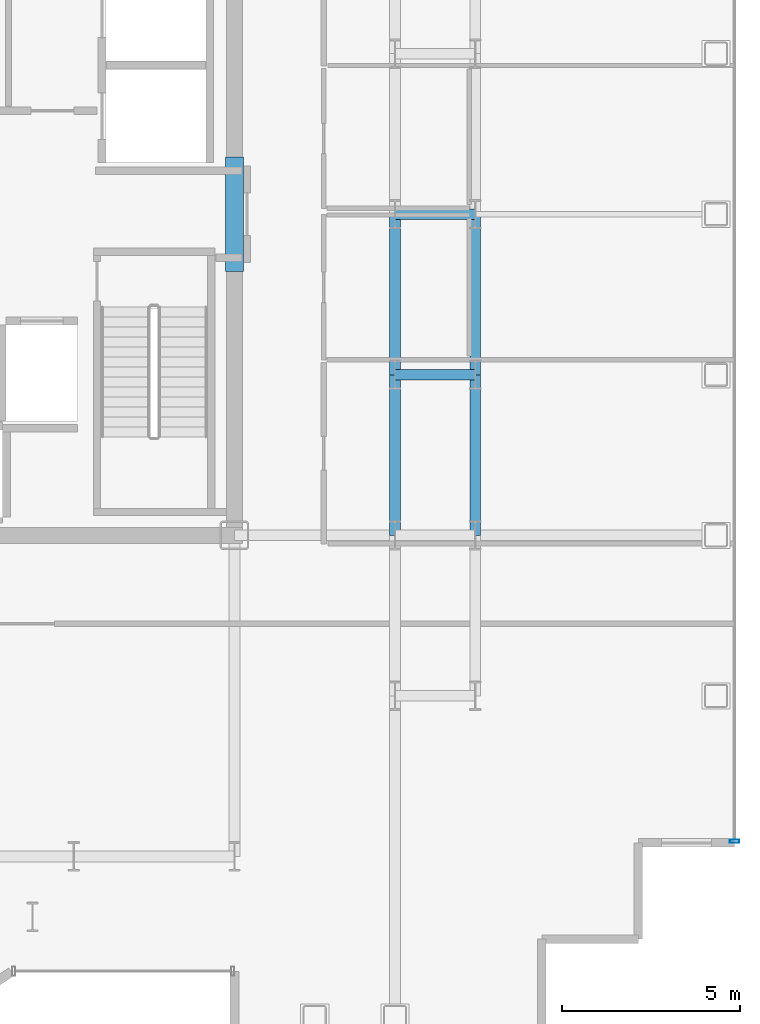
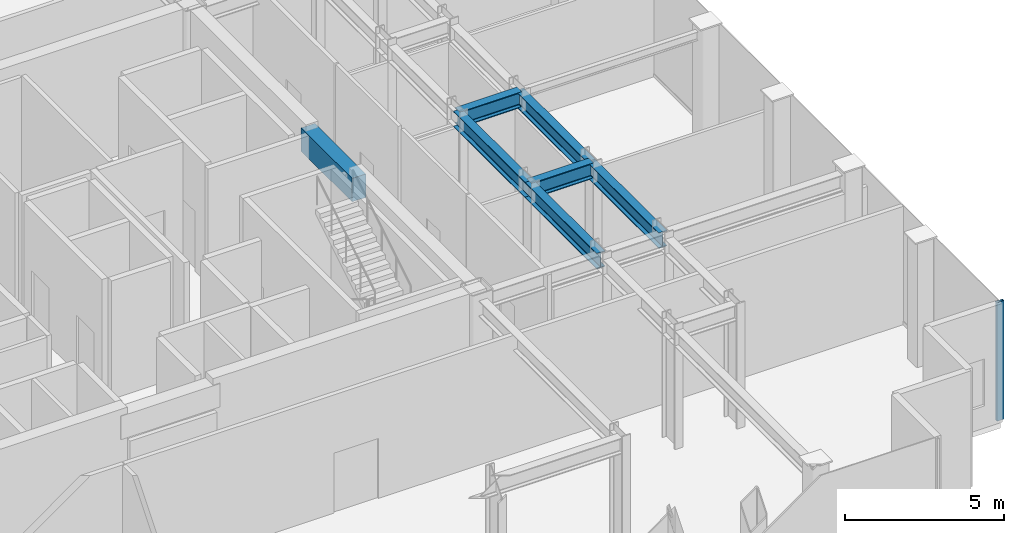
# One storey, part 6 of 20: 7 beams, 1 member, 1 element without a shape of its own.
"""IFC4 building model written with IfcOpenShell, lengths in metres."""

from ifc_helpers import new_model, si_unit, direction, frame, origin, origin_2d, place, context, subcontext, project, spatial, rectangle, hollow_rectangle, i_section, extrude, source, transform, mapped, material, layer, layer_set, material_profile, profile_set, type_object, element, aggregate, save


model = new_model("IFC4")

# Units and contexts
model_context = context("Model", 3, precision=1e-05, world=origin(), true_north=direction((0.0, 1.0)))
body_context = subcontext(model_context, "Body", "Model", "MODEL_VIEW")
ifc_project = project(units=[si_unit("LENGTHUNIT", "METRE"), si_unit("AREAUNIT", "SQUARE_METRE"), si_unit("VOLUMEUNIT", "CUBIC_METRE"), si_unit("PLANEANGLEUNIT", "RADIAN"), si_unit("MASSUNIT", "GRAM", prefix="KILO")], contexts=[model_context])

# Site, building, storey
site_placement = place(None, origin())
site = spatial("IfcSite", under=ifc_project, at=site_placement, CompositionType="ELEMENT")
building_placement = place(site_placement, origin())
building = spatial("IfcBuilding", under=site, at=building_placement, Name="Nefas-Gora Pilgrimage Tower", CompositionType="ELEMENT")
storey_placement = place(building_placement, frame((0.0, 0.0, 259.800048828125)))
storey = spatial("IfcBuildingStorey", under=building, at=storey_placement, Name="L65", CompositionType="ELEMENT", Elevation=259.800048828125)

# Beams
ifc_material_1 = material(Name="Concrete C50/60", Category="concrete")
ifc_material_profile_1 = material_profile(ifc_material_1, rectangle(XDim=0.5, YDim=0.89990234375, at=origin_2d()), Name="RC 500x900")
ifc_profile_set_1 = profile_set([ifc_material_profile_1], Name="Concrete C50/60")
beam_type_1 = type_object("IfcBeamType", Name="BM-LIN-RC900", PredefinedType="LINTEL", material=ifc_profile_set_1)
shared_shape_1 = source(origin(), body_context, "Body", "SweptSolid", [
    extrude(rectangle(XDim=0.5, YDim=0.89990234375, at=origin_2d()), origin(), (0.0, 0.0, 1.0), 3.2001953125),
])
beam_placement = place(storey_placement, frame((11.25, -1.60009765625, 4.099853515625), z_axis=(0.0, 1.0, 0.0), x_axis=(-1.0, 0.0, 0.0)))
element("IfcBeam", 1, at=beam_placement, inside=storey, type_object=beam_type_1, Name="L65 Core Coupling Lintel Beam E", PredefinedType="LINTEL", context=body_context, shape_type="MappedRepresentation", body=[
    mapped(shared_shape_1, transform((0.0, 0.0, 0.0), x_axis=(1.0, 0.0, 0.0), y_axis=(0.0, 1.0, 0.0), z_axis=(0.0, 0.0, 1.0), scale=1.0)),
])
ifc_material_2 = material(Name="Steel S355", Category="steel")
ifc_material_profile_2 = material_profile(ifc_material_2, i_section(OverallWidth=0.300048828125, OverallDepth=0.60009765625, WebThickness=0.015380859375, FlangeThickness=0.030029296875, FilletRadius=0.027099609375, at=origin_2d()), Name="HEB 600")
ifc_profile_set_2 = profile_set([ifc_material_profile_2], Name="Steel S355")
beam_type_2 = type_object("IfcBeamType", Name="BM-GIR-HEB600", PredefinedType="BEAM", material=ifc_profile_set_2)
shared_shape_2 = source(origin(), body_context, "Body", "SweptSolid", [
    extrude(i_section(OverallWidth=0.300048828125, OverallDepth=0.60009765625, WebThickness=0.015380859375, FlangeThickness=0.030029296875, FilletRadius=0.027099609375, at=origin_2d()), origin(), (0.0, 0.0, 1.0), 4.5),
])
for number, where, z_axis, x_axis, name in (
    (2, (15.75, -9.0, 4.25), (0.0, 1.0, 0.0), (-1.0, 0.0, 0.0), "L65 G-04 beam"),
    (3, (15.75, -4.5, 4.25), (0.0, 1.0, 0.0), (-1.0, 0.0, 0.0), "L65 G-04 beam"),
    (4, (18.0, -9.0, 4.25), (0.0, 1.0, 0.0), (-1.0, 0.0, 0.0), "L65 G-04 beam"),
    (5, (18.0, -4.5, 4.25), (0.0, 1.0, 0.0), (-1.0, 0.0, 0.0), "L65 G-04 beam"),
):
    element("IfcBeam", number, at=place(storey_placement, frame(where, z_axis=z_axis, x_axis=x_axis)), inside=storey, type_object=beam_type_2, Name=name, PredefinedType="BEAM", context=body_context, shape_type="MappedRepresentation", body=[
        mapped(shared_shape_2, transform((0.0, 0.0, 0.0), x_axis=(1.0, 0.0, 0.0), y_axis=(0.0, 1.0, 0.0), z_axis=(0.0, 0.0, 1.0), scale=1.0)),
    ])
shared_shape_3 = source(origin(), body_context, "Body", "SweptSolid", [
    extrude(i_section(OverallWidth=0.300048828125, OverallDepth=0.60009765625, WebThickness=0.015380859375, FlangeThickness=0.030029296875, FilletRadius=0.027099609375, at=origin_2d()), origin(), (0.0, 0.0, 1.0), 2.25),
])
for number, where, z_axis, x_axis, name in (
    (6, (15.75, -4.5, 4.25), (1.0, 0.0, 0.0), (0.0, 1.0, 0.0), "L65 G-04 beam"),
    (7, (15.75, 0.0, 4.25), (1.0, 0.0, 0.0), (0.0, 1.0, 0.0), "L65 G-04 beam"),
):
    element("IfcBeam", number, at=place(storey_placement, frame(where, z_axis=z_axis, x_axis=x_axis)), inside=storey, type_object=beam_type_2, Name=name, PredefinedType="BEAM", context=body_context, shape_type="MappedRepresentation", body=[
        mapped(shared_shape_3, transform((0.0, 0.0, 0.0), x_axis=(1.0, 0.0, 0.0), y_axis=(0.0, 1.0, 0.0), z_axis=(0.0, 0.0, 1.0), scale=1.0)),
    ])

# Curtain wall, member
ifc_material_3 = material(Name="Dark ceramic-fritted solar-control aluminium-glass curtain wall", Category="aluminium")
ifc_layer = layer(ifc_material_3, 0.219970703125)
ifc_layer_set = layer_set([ifc_layer], Name="Dark ceramic-fritted solar-control aluminium-glass curtain wall")
curtain_wall_type = type_object("IfcCurtainWallType", Name="CW-SYS-3", PredefinedType="NOTDEFINED", material=ifc_layer_set)
curtain_wall_placement = place(storey_placement, origin())
curtain_wall = element("IfcCurtainWall", 8, at=curtain_wall_placement, inside=storey, type_object=curtain_wall_type, Name="L65 Unitised Curtain Wall CW3", PredefinedType="NOTDEFINED")
ifc_material_4 = material(Name="Anodised architectural aluminium", Category="aluminium")
ifc_material_profile_3 = material_profile(ifc_material_4, hollow_rectangle(XDim=0.090087890625, YDim=0.260009765625, WallThickness=0.006103515625, InnerFilletRadius=0.006103515625, OuterFilletRadius=0.011962890625, at=origin_2d()), Name="ALU MULLION 90x260")
ifc_profile_set_3 = profile_set([ifc_material_profile_3], Name="Anodised architectural aluminium")
member_type = type_object("IfcMemberType", Name="CWM-MUL-3", PredefinedType="MULLION", material=ifc_profile_set_3)
shared_shape_4 = source(origin(), body_context, "Body", "SweptSolid", [
    extrude(hollow_rectangle(XDim=0.090087890625, YDim=0.260009765625, WallThickness=0.006103515625, InnerFilletRadius=0.006103515625, OuterFilletRadius=0.011962890625, at=origin_2d()), origin(), (0.0, 0.0, 1.0), 4.550048828125),
])
member_placement = place(storey_placement, frame((25.27001953125, -17.574951171875, 0.0), z_axis=(0.0, 0.0, 1.0), x_axis=(0.0, 1.0, 0.0)))
member = element("IfcMember", 9, at=member_placement, type_object=member_type, Name="CW3 Mullion 1", PredefinedType="MULLION", context=body_context, shape_type="MappedRepresentation", body=[
    mapped(shared_shape_4, transform((0.0, 0.0, 0.0), x_axis=(1.0, 0.0, 0.0), y_axis=(0.0, 1.0, 0.0), z_axis=(0.0, 0.0, 1.0), scale=1.0)),
])
aggregate(curtain_wall, [member])

save(model, "model.ifc")
